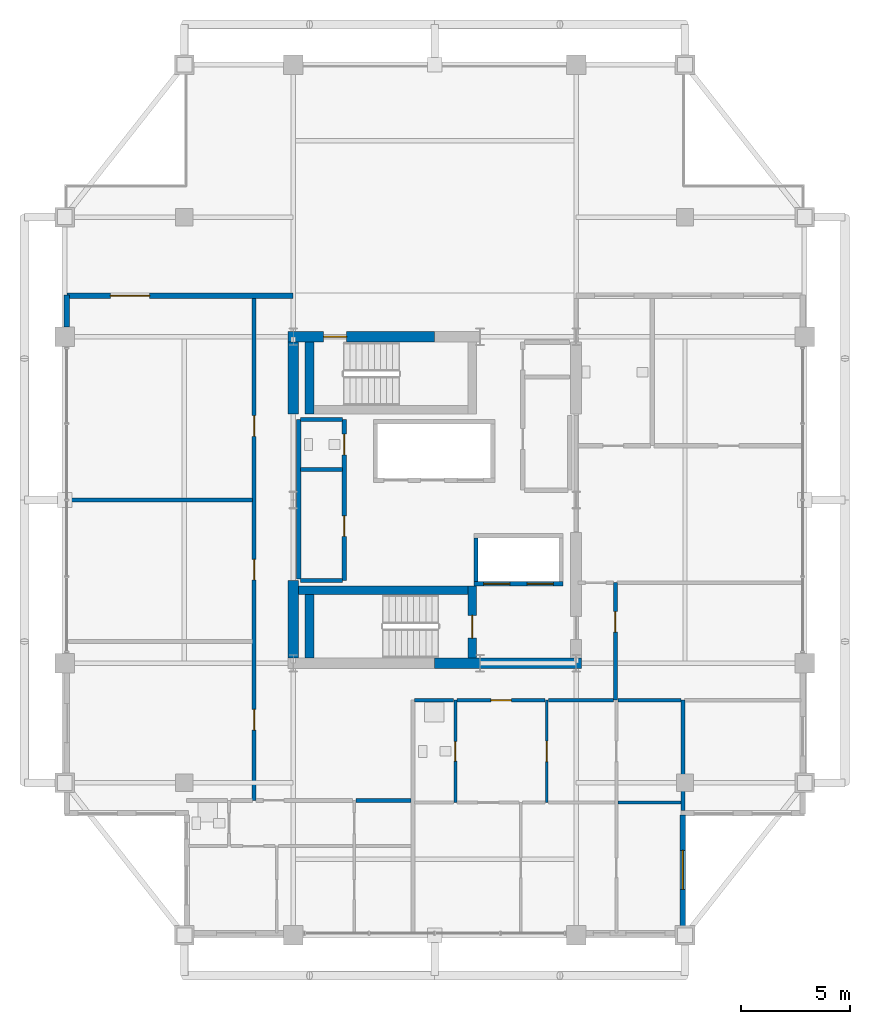
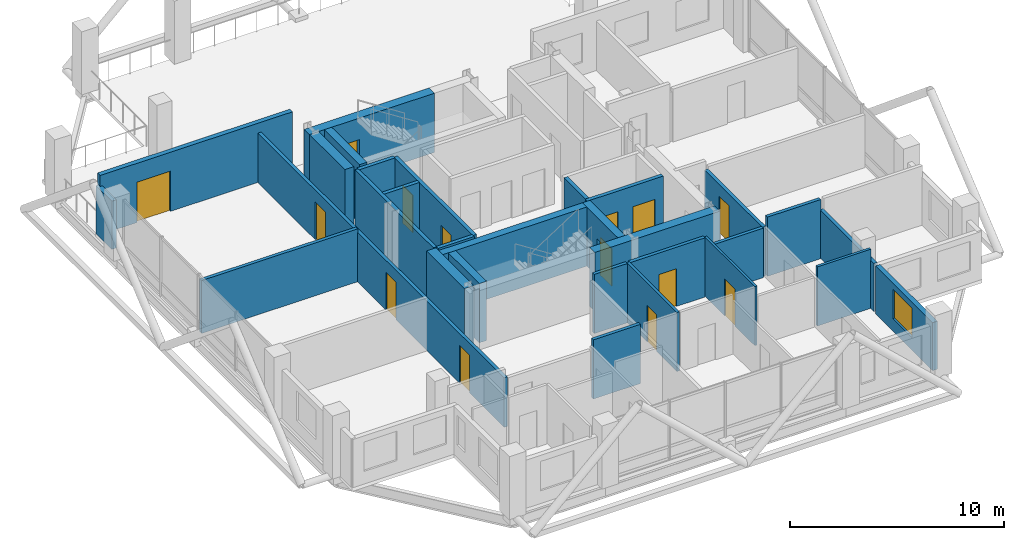
# One storey, part 16 of 21: 30 walls, 14 doors, 1 window, 15 openings.
"""IFC4 building model written with IfcOpenShell, lengths in metres."""

from ifc_helpers import new_model, si_unit, direction, frame, frame_2d, origin, place, context, subcontext, project, spatial, rectangle, extrude, material, layer, layer_set, type_object, element, fill, save


model = new_model("IFC4")

# Units and contexts
model_context = context("Model", 3, precision=1e-05, world=origin(), true_north=direction((0.0, 1.0)))
body_context = subcontext(model_context, "Body", "Model", "MODEL_VIEW")
ifc_project = project(units=[si_unit("LENGTHUNIT", "METRE"), si_unit("AREAUNIT", "SQUARE_METRE"), si_unit("VOLUMEUNIT", "CUBIC_METRE"), si_unit("PLANEANGLEUNIT", "RADIAN"), si_unit("MASSUNIT", "GRAM", prefix="KILO")], contexts=[model_context])

# Site, building, storey
site_placement = place(None, origin())
site = spatial("IfcSite", under=ifc_project, at=site_placement, CompositionType="ELEMENT")
building_placement = place(site_placement, origin())
building = spatial("IfcBuilding", under=site, at=building_placement, Name="Barlavira Tower and Art Museum", CompositionType="ELEMENT")
storey_placement = place(building_placement, frame((0.0, 0.0, 261.89990234375)))
storey = spatial("IfcBuildingStorey", under=building, at=storey_placement, Name="L68", CompositionType="ELEMENT", Elevation=261.89990234375)

# Wall, opening, door
ifc_material_1 = material(Name="Gypsum acoustic stud partition", Category="gypsum")
ifc_layer_1 = layer(ifc_material_1, 0.1201171875, Name="Gypsum acoustic stud partition")
ifc_layer_set_1 = layer_set([ifc_layer_1], Name="Gypsum acoustic stud partition")
wall_type_1 = type_object("IfcWallType", Name="Apartment Internal Acoustic Partition 120", PredefinedType="PARTITIONING", material=ifc_layer_set_1)
wall_1_placement = place(storey_placement, frame((5.14990234375, -13.89990234375, 0.0), z_axis=(0.0, 0.0, 1.0), x_axis=(0.0, 1.0, 0.0)))
wall_1 = element("IfcWall", 1, at=wall_1_placement, inside=storey, type_object=wall_type_1, Name="L68 Partition Wall 11", PredefinedType="PARTITIONING", context=body_context, shape_type="SweptSolid", body=[
    extrude(rectangle(XDim=4.699951171875, YDim=0.1201171875, at=frame_2d((2.35009765625, 0.0))), origin(), (0.0, 0.0, 1.0), 3.380126953125),
])
opening_1_placement = place(wall_1_placement, frame((1.875, 0.0, 0.0)))
opening_1 = element("IfcOpeningElement", 2, at=opening_1_placement, cuts=wall_1, Name="Opening D-02", PredefinedType="OPENING", context=body_context, shape_type="SweptSolid", body=[
    extrude(rectangle(XDim=0.949951171875, YDim=2.10009765625, at=frame_2d((0.47509765625, 1.050048828125))), frame((0.0, 0.070068359375, 0.0), z_axis=(0.0, -1.0, 0.0), x_axis=(1.0, 0.0, 0.0)), (0.0, 0.0, 1.0), 0.14013671875),
])
ifc_material_2 = material(Name="Engineered coastal hardwood", Category="wood")
door_type_1 = type_object("IfcDoorType", Name="Living and Salon Glazed-Leaf Door 950x2100", OperationType="NOTDEFINED", PredefinedType="DOOR", material=ifc_material_2)
door_1_placement = place(opening_1_placement, origin())
door_1 = element("IfcDoor", 3, at=door_1_placement, inside=storey, type_object=door_type_1, Name="Apartment WP-SE Kitchen Door", OperationType="SINGLE_SWING_RIGHT", OverallHeight=2.10009765625, OverallWidth=0.949951171875, PredefinedType="DOOR", context=body_context, shape_type="SweptSolid", body=[
    extrude(rectangle(XDim=0.949951171875, YDim=2.10009765625, at=frame_2d((0.47509765625, 1.050048828125))), frame((0.0, 0.02490234375, 0.0), z_axis=(0.0, -1.0, 0.0), x_axis=(1.0, 0.0, 0.0)), (0.0, 0.0, 1.0), 0.050048828125),
])
fill(opening_1, door_1)

# Wall
ifc_material_3 = material(Name="Concrete C60", Category="concrete")
ifc_layer_2 = layer(ifc_material_3, 0.5, Name="Concrete C60")
ifc_layer_set_2 = layer_set([ifc_layer_2], Name="Concrete C60")
wall_type_2 = type_object("IfcWallType", Name="Core Structural Shear Wall 500 Concrete C60", PredefinedType="SHEAR", material=ifc_layer_set_2)
wall_2_placement = place(storey_placement, frame((0.0, -7.5, 0.0), z_axis=(0.0, 0.0, 1.0), x_axis=(1.0, 0.0, 0.0)))
element("IfcWall", 4, at=wall_2_placement, inside=storey, type_object=wall_type_2, Name="L68 Core Shear Wall CS-SE", PredefinedType="SHEAR", context=body_context, shape_type="SweptSolid", body=[
    extrude(rectangle(XDim=6.75, YDim=0.5, at=frame_2d((3.375, 0.0))), origin(), (0.0, 0.0, 1.0), 3.380126953125),
])

# Wall, opening, door
wall_3_placement = place(storey_placement, frame((-6.75, 7.5, 0.0), z_axis=(0.0, 0.0, 1.0), x_axis=(1.0, 0.0, 0.0)))
wall_3 = element("IfcWall", 5, at=wall_3_placement, inside=storey, type_object=wall_type_2, Name="L68 Core Shear Wall CS-NW", PredefinedType="SHEAR", context=body_context, shape_type="SweptSolid", body=[
    extrude(rectangle(XDim=6.75, YDim=0.5, at=frame_2d((3.375, 0.0))), origin(), (0.0, 0.0, 1.0), 3.380126953125),
])
opening_2_placement = place(wall_3_placement, frame((1.64990234375, 0.0, 0.0)))
opening_2 = element("IfcOpeningElement", 6, at=opening_2_placement, cuts=wall_3, Name="Opening FD-90", PredefinedType="OPENING", context=body_context, shape_type="SweptSolid", body=[
    extrude(rectangle(XDim=1.050048828125, YDim=2.14990234375, at=frame_2d((0.52490234375, 1.074951171875))), frame((0.0, 0.260009765625, 0.0), z_axis=(0.0, -1.0, 0.0), x_axis=(1.0, 0.0, 0.0)), (0.0, 0.0, 1.0), 0.52001953125),
])
ifc_material_4 = material(Name="Brushed stainless steel", Category="steel")
door_type_2 = type_object("IfcDoorType", Name="Stair and Refuge Fire Door 1050x2150 FD90S", OperationType="NOTDEFINED", PredefinedType="DOOR", material=ifc_material_4)
door_2_placement = place(opening_2_placement, origin())
door_2 = element("IfcDoor", 7, at=door_2_placement, inside=storey, type_object=door_type_2, Name="L68 Stair ST-T2 Fire Door", OperationType="SINGLE_SWING_LEFT", OverallHeight=2.14990234375, OverallWidth=1.050048828125, PredefinedType="DOOR", context=body_context, shape_type="SweptSolid", body=[
    extrude(rectangle(XDim=1.050048828125, YDim=2.14990234375, at=frame_2d((0.52490234375, 1.074951171875))), frame((0.0, 0.02490234375, 0.0), z_axis=(0.0, -1.0, 0.0), x_axis=(1.0, 0.0, 0.0)), (0.0, 0.0, 1.0), 0.050048828125),
])
fill(opening_2, door_2)

# Walls
wall_4_placement = place(storey_placement, frame((-6.5, -7.25, 0.0), z_axis=(0.0, 0.0, 1.0), x_axis=(0.0, 1.0, 0.0)))
element("IfcWall", 8, at=wall_4_placement, inside=storey, type_object=wall_type_2, Name="L68 Core Shear Wall CS-W1", PredefinedType="SHEAR", context=body_context, shape_type="SweptSolid", body=[
    extrude(rectangle(XDim=3.550048828125, YDim=0.5, at=frame_2d((1.77490234375, 0.0))), origin(), (0.0, 0.0, 1.0), 3.380126953125),
])
wall_5_placement = place(storey_placement, frame((-6.5, 3.949951171875, 0.0), z_axis=(0.0, 0.0, 1.0), x_axis=(0.0, 1.0, 0.0)))
element("IfcWall", 9, at=wall_5_placement, inside=storey, type_object=wall_type_2, Name="L68 Core Shear Wall CS-W2", PredefinedType="SHEAR", context=body_context, shape_type="SweptSolid", body=[
    extrude(rectangle(XDim=3.300048828125, YDim=0.5, at=frame_2d((1.64990234375, 0.0))), origin(), (0.0, 0.0, 1.0), 3.380126953125),
])

# Wall, openings, doors
ifc_material_5 = material(Name="Autoclaved aerated concrete masonry", Category="masonry")
ifc_layer_3 = layer(ifc_material_5, 0.199951171875, Name="Autoclaved aerated concrete masonry")
ifc_layer_set_3 = layer_set([ifc_layer_3], Name="Autoclaved aerated concrete masonry")
wall_type_3 = type_object("IfcWallType", Name="Fire Compartment and Shaft Wall 200", PredefinedType="SOLIDWALL", material=ifc_layer_set_3)
wall_6_placement = place(storey_placement, frame((1.800048828125, -3.85009765625, 0.0), z_axis=(0.0, 0.0, 1.0), x_axis=(1.0, 0.0, 0.0)))
wall_6 = element("IfcWall", 10, at=wall_6_placement, inside=storey, type_object=wall_type_3, Name="L68 Firefighting Lift Front Shaft Wall", PredefinedType="SOLIDWALL", context=body_context, shape_type="SweptSolid", body=[
    extrude(rectangle(XDim=4.099853515625, YDim=0.199951171875, at=frame_2d((2.0498046875, 0.0))), origin(), (0.0, 0.0, 1.0), 3.380126953125),
])
opening_3_placement = place(wall_6_placement, frame((0.449951171875, 0.0, 0.0)))
opening_3 = element("IfcOpeningElement", 11, at=opening_3_placement, cuts=wall_6, Name="Opening LD-F", PredefinedType="OPENING", context=body_context, shape_type="SweptSolid", body=[
    extrude(rectangle(XDim=1.199951171875, YDim=2.199951171875, at=frame_2d((0.60009765625, 1.10009765625))), frame((0.0, 0.10986328125, 0.0), z_axis=(0.0, -1.0, 0.0), x_axis=(1.0, 0.0, 0.0)), (0.0, 0.0, 1.0), 0.219970703125),
])
opening_4_placement = place(wall_6_placement, frame((2.449951171875, 0.0, 0.0)))
opening_4 = element("IfcOpeningElement", 12, at=opening_4_placement, cuts=wall_6, Name="Opening LD-F", PredefinedType="OPENING", context=body_context, shape_type="SweptSolid", body=[
    extrude(rectangle(XDim=1.199951171875, YDim=2.199951171875, at=frame_2d((0.60009765625, 1.10009765625))), frame((0.0, 0.10986328125, 0.0), z_axis=(0.0, -1.0, 0.0), x_axis=(1.0, 0.0, 0.0)), (0.0, 0.0, 1.0), 0.219970703125),
])
door_type_3 = type_object("IfcDoorType", Name="Firefighting and Service Lift Sliding Door 1200x2200 FD120", OperationType="NOTDEFINED", PredefinedType="DOOR", material=ifc_material_4)
door_3_placement = place(opening_3_placement, origin())
door_3 = element("IfcDoor", 13, at=door_3_placement, inside=storey, type_object=door_type_3, Name="L68 Firefighting Lift FF1 Sliding Door", OperationType="DOUBLE_DOOR_SLIDING", OverallHeight=2.199951171875, OverallWidth=1.199951171875, PredefinedType="DOOR", context=body_context, shape_type="SweptSolid", body=[
    extrude(rectangle(XDim=1.199951171875, YDim=2.199951171875, at=frame_2d((0.60009765625, 1.10009765625))), frame((0.0, 0.02490234375, 0.0), z_axis=(0.0, -1.0, 0.0), x_axis=(1.0, 0.0, 0.0)), (0.0, 0.0, 1.0), 0.050048828125),
])
fill(opening_3, door_3)
door_4_placement = place(opening_4_placement, origin())
door_4 = element("IfcDoor", 14, at=door_4_placement, inside=storey, type_object=door_type_3, Name="L68 Firefighting Lift FF2 Sliding Door", OperationType="DOUBLE_DOOR_SLIDING", OverallHeight=2.199951171875, OverallWidth=1.199951171875, PredefinedType="DOOR", context=body_context, shape_type="SweptSolid", body=[
    extrude(rectangle(XDim=1.199951171875, YDim=2.199951171875, at=frame_2d((0.60009765625, 1.10009765625))), frame((0.0, 0.02490234375, 0.0), z_axis=(0.0, -1.0, 0.0), x_axis=(1.0, 0.0, 0.0)), (0.0, 0.0, 1.0), 0.050048828125),
])
fill(opening_4, door_4)

# Walls
wall_7_placement = place(storey_placement, frame((1.89990234375, -3.75, 0.0), z_axis=(0.0, 0.0, 1.0), x_axis=(0.0, 1.0, 0.0)))
element("IfcWall", 15, at=wall_7_placement, inside=storey, type_object=wall_type_3, Name="L68 Firefighting Lift West Shaft Wall", PredefinedType="SOLIDWALL", context=body_context, shape_type="SweptSolid", body=[
    extrude(rectangle(XDim=2.0, YDim=0.199951171875, at=frame_2d((1.0, 0.0))), origin(), (0.0, 0.0, 1.0), 3.380126953125),
])
wall_8_placement = place(storey_placement, frame((-6.25, -3.639892578125, 0.0), z_axis=(0.0, 0.0, 1.0), x_axis=(0.0, 1.0, 0.0)))
element("IfcWall", 16, at=wall_8_placement, inside=storey, type_object=wall_type_3, Name="L68 Partition Wall 4", PredefinedType="SOLIDWALL", context=body_context, shape_type="SweptSolid", body=[
    extrude(rectangle(XDim=7.33984375, YDim=0.199951171875, at=frame_2d((3.669921875, 0.0))), origin(), (0.0, 0.0, 1.0), 3.380126953125),
])

# Wall, openings, doors
wall_9_placement = place(storey_placement, frame((-4.14990234375, -3.699951171875, 0.0), z_axis=(0.0, 0.0, 1.0), x_axis=(0.0, 1.0, 0.0)))
wall_9 = element("IfcWall", 17, at=wall_9_placement, inside=storey, type_object=wall_type_3, Name="L68 Partition Wall 5", PredefinedType="SOLIDWALL", context=body_context, shape_type="SweptSolid", body=[
    extrude(rectangle(XDim=7.39990234375, YDim=0.199951171875, at=frame_2d((3.699951171875, 0.0))), origin(), (0.0, 0.0, 1.0), 3.380126953125),
])
opening_5_placement = place(wall_9_placement, frame((2.02490234375, 0.0, 0.0)))
opening_5 = element("IfcOpeningElement", 18, at=opening_5_placement, cuts=wall_9, Name="Opening FD-60", PredefinedType="OPENING", context=body_context, shape_type="SweptSolid", body=[
    extrude(rectangle(XDim=0.949951171875, YDim=2.14990234375, at=frame_2d((0.47509765625, 1.074951171875))), frame((0.0, 0.10986328125, 0.0), z_axis=(0.0, -1.0, 0.0), x_axis=(1.0, 0.0, 0.0)), (0.0, 0.0, 1.0), 0.219970703125),
])
opening_6_placement = place(wall_9_placement, frame((5.77490234375, 0.0, 0.0)))
opening_6 = element("IfcOpeningElement", 19, at=opening_6_placement, cuts=wall_9, Name="Opening FD-60", PredefinedType="OPENING", context=body_context, shape_type="SweptSolid", body=[
    extrude(rectangle(XDim=0.949951171875, YDim=2.14990234375, at=frame_2d((0.47509765625, 1.074951171875))), frame((0.0, 0.10986328125, 0.0), z_axis=(0.0, -1.0, 0.0), x_axis=(1.0, 0.0, 0.0)), (0.0, 0.0, 1.0), 0.219970703125),
])
door_type_4 = type_object("IfcDoorType", Name="Apartment Entrance and Riser Fire Door 950x2150 FD60S", OperationType="NOTDEFINED", PredefinedType="DOOR", material=ifc_material_4)
door_5_placement = place(opening_5_placement, origin())
door_5 = element("IfcDoor", 20, at=door_5_placement, inside=storey, type_object=door_type_4, Name="Reclaimed Core Resident Parcel Room Door", OperationType="SINGLE_SWING_RIGHT", OverallHeight=2.14990234375, OverallWidth=0.949951171875, PredefinedType="DOOR", context=body_context, shape_type="SweptSolid", body=[
    extrude(rectangle(XDim=0.949951171875, YDim=2.14990234375, at=frame_2d((0.47509765625, 1.074951171875))), frame((0.0, 0.02490234375, 0.0), z_axis=(0.0, -1.0, 0.0), x_axis=(1.0, 0.0, 0.0)), (0.0, 0.0, 1.0), 0.050048828125),
])
fill(opening_5, door_5)
door_6_placement = place(opening_6_placement, origin())
door_6 = element("IfcDoor", 21, at=door_6_placement, inside=storey, type_object=door_type_4, Name="Reclaimed Core Accessible WC Door", OperationType="SINGLE_SWING_LEFT", OverallHeight=2.14990234375, OverallWidth=0.949951171875, PredefinedType="DOOR", context=body_context, shape_type="SweptSolid", body=[
    extrude(rectangle(XDim=0.949951171875, YDim=2.14990234375, at=frame_2d((0.47509765625, 1.074951171875))), frame((0.0, 0.02490234375, 0.0), z_axis=(0.0, -1.0, 0.0), x_axis=(1.0, 0.0, 0.0)), (0.0, 0.0, 1.0), 0.050048828125),
])
fill(opening_6, door_6)

# Walls
for number, where, z_axis, x_axis, name in (
    (22, (-6.169921875, -3.699951171875, 0.0), (0.0, 0.0, 1.0), (1.0, 0.0, 0.0), "L68 Partition Wall 40"),
    (23, (-6.169921875, 1.39990234375, 0.0), (0.0, 0.0, 1.0), (1.0, 0.0, 0.0), "L68 Partition Wall 43"),
    (24, (-6.169921875, 3.699951171875, 0.0), (0.0, 0.0, 1.0), (1.0, 0.0, 0.0), "L68 Partition Wall 46"),
):
    element("IfcWall", number, at=place(storey_placement, frame(where, z_axis=z_axis, x_axis=x_axis)), inside=storey, type_object=wall_type_3, Name=name, PredefinedType="SOLIDWALL", context=body_context, shape_type="SweptSolid", body=[
        extrude(rectangle(XDim=1.93994140625, YDim=0.199951171875, at=frame_2d((0.969970703125, 0.0))), origin(), (0.0, 0.0, 1.0), 3.380126953125),
    ])

# Wall, openings, doors
ifc_layer_4 = layer(ifc_material_1, 0.179931640625, Name="Gypsum acoustic stud partition")
ifc_layer_set_4 = layer_set([ifc_layer_4], Name="Gypsum acoustic stud partition")
wall_type_4 = type_object("IfcWallType", Name="Inter-Tenancy Party Partition Wall 180", PredefinedType="PARTITIONING", material=ifc_layer_set_4)
wall_10_placement = place(storey_placement, frame((-8.300048828125, -13.800048828125, 0.0), z_axis=(0.0, 0.0, 1.0), x_axis=(0.0, 1.0, 0.0)))
wall_10 = element("IfcWall", 25, at=wall_10_placement, inside=storey, type_object=wall_type_4, Name="L68 Partition Wall 2", PredefinedType="PARTITIONING", context=body_context, shape_type="SweptSolid", body=[
    extrude(rectangle(XDim=23.050048828125, YDim=0.179931640625, at=frame_2d((11.52490234375, 0.0))), origin(), (0.0, 0.0, 1.0), 2.826171875),
])
opening_7_placement = place(wall_10_placement, frame((3.22509765625, 0.0, 0.0)))
opening_7 = element("IfcOpeningElement", 26, at=opening_7_placement, cuts=wall_10, Name="Opening FD-60", PredefinedType="OPENING", context=body_context, shape_type="SweptSolid", body=[
    extrude(rectangle(XDim=0.949951171875, YDim=2.14990234375, at=frame_2d((0.47509765625, 1.074951171875))), frame((0.0, 0.10009765625, 0.0), z_axis=(0.0, -1.0, 0.0), x_axis=(1.0, 0.0, 0.0)), (0.0, 0.0, 1.0), 0.199951171875),
])
opening_8_placement = place(wall_10_placement, frame((10.125, 0.0, 0.0)))
opening_8 = element("IfcOpeningElement", 27, at=opening_8_placement, cuts=wall_10, Name="Opening FD-60", PredefinedType="OPENING", context=body_context, shape_type="SweptSolid", body=[
    extrude(rectangle(XDim=0.949951171875, YDim=2.14990234375, at=frame_2d((0.47509765625, 1.074951171875))), frame((0.0, 0.10009765625, 0.0), z_axis=(0.0, -1.0, 0.0), x_axis=(1.0, 0.0, 0.0)), (0.0, 0.0, 1.0), 0.199951171875),
])
opening_9_placement = place(wall_10_placement, frame((16.72509765625, 0.0, 0.0)))
opening_9 = element("IfcOpeningElement", 28, at=opening_9_placement, cuts=wall_10, Name="Opening FD-60", PredefinedType="OPENING", context=body_context, shape_type="SweptSolid", body=[
    extrude(rectangle(XDim=0.949951171875, YDim=2.14990234375, at=frame_2d((0.47509765625, 1.074951171875))), frame((0.0, 0.10009765625, 0.0), z_axis=(0.0, -1.0, 0.0), x_axis=(1.0, 0.0, 0.0)), (0.0, 0.0, 1.0), 0.199951171875),
])
door_7_placement = place(opening_7_placement, origin())
door_7 = element("IfcDoor", 29, at=door_7_placement, inside=storey, type_object=door_type_4, Name="Wind-Portal Sky Observatory Lounge Door", OperationType="SINGLE_SWING_LEFT", OverallHeight=2.14990234375, OverallWidth=0.949951171875, PredefinedType="DOOR", context=body_context, shape_type="SweptSolid", body=[
    extrude(rectangle(XDim=0.949951171875, YDim=2.14990234375, at=frame_2d((0.47509765625, 1.074951171875))), frame((0.0, 0.02490234375, 0.0), z_axis=(0.0, -1.0, 0.0), x_axis=(1.0, 0.0, 0.0)), (0.0, 0.0, 1.0), 0.050048828125),
])
fill(opening_7, door_7)
door_8_placement = place(opening_8_placement, origin())
door_8 = element("IfcDoor", 30, at=door_8_placement, inside=storey, type_object=door_type_4, Name="Wind-Portal Coastal Sculpture Salon Door", OperationType="SINGLE_SWING_RIGHT", OverallHeight=2.14990234375, OverallWidth=0.949951171875, PredefinedType="DOOR", context=body_context, shape_type="SweptSolid", body=[
    extrude(rectangle(XDim=0.949951171875, YDim=2.14990234375, at=frame_2d((0.47509765625, 1.074951171875))), frame((0.0, 0.02490234375, 0.0), z_axis=(0.0, -1.0, 0.0), x_axis=(1.0, 0.0, 0.0)), (0.0, 0.0, 1.0), 0.050048828125),
])
fill(opening_8, door_8)
door_9_placement = place(opening_9_placement, origin())
door_9 = element("IfcDoor", 31, at=door_9_placement, inside=storey, type_object=door_type_4, Name="Wind-Portal Coastal Reading Room Door", OperationType="SINGLE_SWING_LEFT", OverallHeight=2.14990234375, OverallWidth=0.949951171875, PredefinedType="DOOR", context=body_context, shape_type="SweptSolid", body=[
    extrude(rectangle(XDim=0.949951171875, YDim=2.14990234375, at=frame_2d((0.47509765625, 1.074951171875))), frame((0.0, 0.02490234375, 0.0), z_axis=(0.0, -1.0, 0.0), x_axis=(1.0, 0.0, 0.0)), (0.0, 0.0, 1.0), 0.050048828125),
])
fill(opening_9, door_9)

# Wall, opening, door
wall_11_placement = place(storey_placement, frame((8.300048828125, -9.199951171875, 0.0), z_axis=(0.0, 0.0, 1.0), x_axis=(0.0, 1.0, 0.0)))
wall_11 = element("IfcWall", 32, at=wall_11_placement, inside=storey, type_object=wall_type_4, Name="L68 Partition Wall 15", PredefinedType="PARTITIONING", context=body_context, shape_type="SweptSolid", body=[
    extrude(rectangle(XDim=5.39990234375, YDim=0.179931640625, at=frame_2d((2.699951171875, 0.0))), origin(), (0.0, 0.0, 1.0), 2.826171875),
])
opening_10_placement = place(wall_11_placement, frame((3.125, 0.0, 0.0)))
opening_10 = element("IfcOpeningElement", 33, at=opening_10_placement, cuts=wall_11, Name="Opening FD-60", PredefinedType="OPENING", context=body_context, shape_type="SweptSolid", body=[
    extrude(rectangle(XDim=0.949951171875, YDim=2.14990234375, at=frame_2d((0.47509765625, 1.074951171875))), frame((0.0, 0.10009765625, 0.0), z_axis=(0.0, -1.0, 0.0), x_axis=(1.0, 0.0, 0.0)), (0.0, 0.0, 1.0), 0.199951171875),
])
door_10_placement = place(opening_10_placement, origin())
door_10 = element("IfcDoor", 34, at=door_10_placement, inside=storey, type_object=door_type_4, Name="Wind-Portal Private Dining Room Door", OperationType="SINGLE_SWING_RIGHT", OverallHeight=2.14990234375, OverallWidth=0.949951171875, PredefinedType="DOOR", context=body_context, shape_type="SweptSolid", body=[
    extrude(rectangle(XDim=0.949951171875, YDim=2.14990234375, at=frame_2d((0.47509765625, 1.074951171875))), frame((0.0, 0.02490234375, 0.0), z_axis=(0.0, -1.0, 0.0), x_axis=(1.0, 0.0, 0.0)), (0.0, 0.0, 1.0), 0.050048828125),
])
fill(opening_10, door_10)

# Walls
wall_12_placement = place(storey_placement, frame((11.39990234375, -14.27001953125, 0.0), z_axis=(0.0, 0.0, 1.0), x_axis=(0.0, 1.0, 0.0)))
element("IfcWall", 35, at=wall_12_placement, inside=storey, type_object=wall_type_4, Name="L68 Partition Wall 18", PredefinedType="PARTITIONING", context=body_context, shape_type="SweptSolid", body=[
    extrude(rectangle(XDim=5.070068359375, YDim=0.179931640625, at=frame_2d((2.53515625, 0.0))), origin(), (0.0, 0.0, 1.0), 2.748046875),
])
wall_13_placement = place(storey_placement, frame((-3.6201171875, -13.800048828125, 0.0), z_axis=(0.0, 0.0, 1.0), x_axis=(1.0, 0.0, 0.0)))
element("IfcWall", 36, at=wall_13_placement, inside=storey, type_object=wall_type_4, Name="L68 Partition Wall 31", PredefinedType="PARTITIONING", context=body_context, shape_type="SweptSolid", body=[
    extrude(rectangle(XDim=2.5400390625, YDim=0.179931640625, at=frame_2d((1.27001953125, 0.0))), origin(), (0.0, 0.0, 1.0), 3.380126953125),
])
wall_14_placement = place(storey_placement, frame((-0.919921875, -9.199951171875, 0.0), z_axis=(0.0, 0.0, 1.0), x_axis=(1.0, 0.0, 0.0)))
element("IfcWall", 37, at=wall_14_placement, inside=storey, type_object=wall_type_4, Name="L68 Partition Wall 32", PredefinedType="PARTITIONING", context=body_context, shape_type="SweptSolid", body=[
    extrude(rectangle(XDim=1.7900390625, YDim=0.179931640625, at=frame_2d((0.89501953125, 0.0))), origin(), (0.0, 0.0, 1.0), 3.380126953125),
])

# Wall, opening, door
wall_15_placement = place(storey_placement, frame((1.030029296875, -9.199951171875, 0.0), z_axis=(0.0, 0.0, 1.0), x_axis=(1.0, 0.0, 0.0)))
wall_15 = element("IfcWall", 38, at=wall_15_placement, inside=storey, type_object=wall_type_4, Name="L68 Partition Wall 33", PredefinedType="PARTITIONING", context=body_context, shape_type="SweptSolid", body=[
    extrude(rectangle(XDim=4.0400390625, YDim=0.179931640625, at=frame_2d((2.02001953125, 0.0))), origin(), (0.0, 0.0, 1.0), 3.380126953125),
])
opening_11_placement = place(wall_15_placement, frame((1.544921875, 0.0, 0.0)))
opening_11 = element("IfcOpeningElement", 39, at=opening_11_placement, cuts=wall_15, Name="Opening FD-60", PredefinedType="OPENING", context=body_context, shape_type="SweptSolid", body=[
    extrude(rectangle(XDim=0.949951171875, YDim=2.14990234375, at=frame_2d((0.47509765625, 1.074951171875))), frame((0.0, 0.10009765625, 0.0), z_axis=(0.0, -1.0, 0.0), x_axis=(1.0, 0.0, 0.0)), (0.0, 0.0, 1.0), 0.199951171875),
])
door_11_placement = place(opening_11_placement, origin())
door_11 = element("IfcDoor", 40, at=door_11_placement, inside=storey, type_object=door_type_4, Name="Apartment Entrance Hall WP-SE Door", OperationType="SINGLE_SWING_LEFT", OverallHeight=2.14990234375, OverallWidth=0.949951171875, PredefinedType="DOOR", context=body_context, shape_type="SweptSolid", body=[
    extrude(rectangle(XDim=0.949951171875, YDim=2.14990234375, at=frame_2d((0.47509765625, 1.074951171875))), frame((0.0, 0.02490234375, 0.0), z_axis=(0.0, -1.0, 0.0), x_axis=(1.0, 0.0, 0.0)), (0.0, 0.0, 1.0), 0.050048828125),
])
fill(opening_11, door_11)

# Walls
wall_16_placement = place(storey_placement, frame((5.22998046875, -9.199951171875, 0.0), z_axis=(0.0, 0.0, 1.0), x_axis=(1.0, 0.0, 0.0)))
element("IfcWall", 41, at=wall_16_placement, inside=storey, type_object=wall_type_4, Name="L68 Partition Wall 34", PredefinedType="PARTITIONING", context=body_context, shape_type="SweptSolid", body=[
    extrude(rectangle(XDim=2.989990234375, YDim=0.179931640625, at=frame_2d((1.4951171875, 0.0))), origin(), (0.0, 0.0, 1.0), 2.826171875),
])
wall_17_placement = place(storey_placement, frame((8.429931640625, -9.199951171875, 0.0), z_axis=(0.0, 0.0, 1.0), x_axis=(1.0, 0.0, 0.0)))
element("IfcWall", 42, at=wall_17_placement, inside=storey, type_object=wall_type_4, Name="L68 Partition Wall 35", PredefinedType="PARTITIONING", context=body_context, shape_type="SweptSolid", body=[
    extrude(rectangle(XDim=2.89013671875, YDim=0.179931640625, at=frame_2d((1.445068359375, 0.0))), origin(), (0.0, 0.0, 1.0), 3.380126953125),
])
wall_18_placement = place(storey_placement, frame((-16.820068359375, 0.0, 0.0), z_axis=(0.0, 0.0, 1.0), x_axis=(1.0, 0.0, 0.0)))
element("IfcWall", 43, at=wall_18_placement, inside=storey, type_object=wall_type_4, Name="L68 Partition Wall 41", PredefinedType="PARTITIONING", context=body_context, shape_type="SweptSolid", body=[
    extrude(rectangle(XDim=8.440185546875, YDim=0.179931640625, at=frame_2d((4.22021484375, 0.0))), origin(), (0.0, 0.0, 1.0), 3.01806640625),
])

# Wall, opening, door
ifc_layer_5 = layer(ifc_material_1, 0.139892578125, Name="Gypsum acoustic stud partition")
ifc_layer_set_5 = layer_set([ifc_layer_5], Name="Gypsum acoustic stud partition")
wall_type_5 = type_object("IfcWallType", Name="Moisture-Resistant Bathroom Partition 140", PredefinedType="PARTITIONING", material=ifc_layer_set_5)
wall_19_placement = place(storey_placement, frame((0.949951171875, -13.89990234375, 0.0), z_axis=(0.0, 0.0, 1.0), x_axis=(0.0, 1.0, 0.0)))
wall_19 = element("IfcWall", 44, at=wall_19_placement, inside=storey, type_object=wall_type_5, Name="L68 Partition Wall 8", PredefinedType="PARTITIONING", context=body_context, shape_type="SweptSolid", body=[
    extrude(rectangle(XDim=4.699951171875, YDim=0.139892578125, at=frame_2d((2.35009765625, 0.0))), origin(), (0.0, 0.0, 1.0), 3.380126953125),
])
opening_12_placement = place(wall_19_placement, frame((1.89990234375, 0.0, 0.0)))
opening_12 = element("IfcOpeningElement", 45, at=opening_12_placement, cuts=wall_19, Name="Opening D-WC", PredefinedType="OPENING", context=body_context, shape_type="SweptSolid", body=[
    extrude(rectangle(XDim=0.89990234375, YDim=2.10009765625, at=frame_2d((0.449951171875, 1.050048828125))), frame((0.0, 0.080078125, 0.0), z_axis=(0.0, -1.0, 0.0), x_axis=(1.0, 0.0, 0.0)), (0.0, 0.0, 1.0), 0.159912109375),
])
door_type_5 = type_object("IfcDoorType", Name="Accessible Bathroom Flush Door 900x2100", OperationType="NOTDEFINED", PredefinedType="DOOR", material=ifc_material_2)
door_12_placement = place(opening_12_placement, origin())
door_12 = element("IfcDoor", 46, at=door_12_placement, inside=storey, type_object=door_type_5, Name="Apartment WP-SE Hall Bathroom Door", OperationType="SINGLE_SWING_RIGHT", OverallHeight=2.10009765625, OverallWidth=0.89990234375, PredefinedType="DOOR", context=body_context, shape_type="SweptSolid", body=[
    extrude(rectangle(XDim=0.89990234375, YDim=2.10009765625, at=frame_2d((0.449951171875, 1.050048828125))), frame((0.0, 0.02490234375, 0.0), z_axis=(0.0, -1.0, 0.0), x_axis=(1.0, 0.0, 0.0)), (0.0, 0.0, 1.0), 0.050048828125),
])
fill(opening_12, door_12)

# Walls
wall_20_placement = place(storey_placement, frame((8.429931640625, -13.89990234375, 0.0), z_axis=(0.0, 0.0, 1.0), x_axis=(1.0, 0.0, 0.0)))
element("IfcWall", 47, at=wall_20_placement, inside=storey, type_object=wall_type_5, Name="L68 Partition Wall 27", PredefinedType="PARTITIONING", context=body_context, shape_type="SweptSolid", body=[
    extrude(rectangle(XDim=2.89013671875, YDim=0.139892578125, at=frame_2d((1.445068359375, 0.0))), origin(), (0.0, 0.0, 1.0), 3.380126953125),
])
ifc_material_6 = material(Name="Precast concrete C40", Category="concrete")
ifc_layer_6 = layer(ifc_material_6, 0.25, Name="Precast concrete C40")
ifc_layer_set_6 = layer_set([ifc_layer_6], Name="Precast concrete C40")
wall_type_6 = type_object("IfcWallType", Name="Notched Corner Spandrel Wall 250 Precast Concrete C40", PredefinedType="SOLIDWALL", material=ifc_layer_set_6)
wall_21_placement = place(storey_placement, frame((-16.89990234375, 9.425048828125, 0.0), z_axis=(0.0, 0.0, 1.0), x_axis=(0.0, -1.0, 0.0)))
element("IfcWall", 48, at=wall_21_placement, inside=storey, type_object=wall_type_6, Name="L68 Coastal Facade Pier Wall CW4-L68-W-1", PredefinedType="SOLIDWALL", context=body_context, shape_type="SweptSolid", body=[
    extrude(rectangle(XDim=1.47998046875, YDim=0.25, at=frame_2d((0.739990234375, 0.0))), origin(), (0.0, 0.0, 1.0), 2.748046875),
])

# Wall, opening, door
wall_22_placement = place(storey_placement, frame((-16.89990234375, 9.3798828125, 0.0), z_axis=(0.0, 0.0, 1.0), x_axis=(1.0, 0.0, 0.0)))
wall_22 = element("IfcWall", 49, at=wall_22_placement, inside=storey, type_object=wall_type_6, Name="L68 Wind Portal West Backdrop Wall", PredefinedType="SOLIDWALL", context=body_context, shape_type="SweptSolid", body=[
    extrude(rectangle(XDim=10.39990234375, YDim=0.25, at=frame_2d((5.199951171875, 0.0))), origin(), (0.0, 0.0, 1.0), 3.380126953125),
])
opening_13_placement = place(wall_22_placement, frame((2.0, 0.0, 0.0)))
opening_13 = element("IfcOpeningElement", 50, at=opening_13_placement, cuts=wall_22, Name="Opening ED-03", PredefinedType="OPENING", context=body_context, shape_type="SweptSolid", body=[
    extrude(rectangle(XDim=1.800048828125, YDim=2.300048828125, at=frame_2d((0.89990234375, 1.14990234375))), frame((0.0, 0.135009765625, 0.0), z_axis=(0.0, -1.0, 0.0), x_axis=(1.0, 0.0, 0.0)), (0.0, 0.0, 1.0), 0.27001953125),
])
ifc_material_7 = material(Name="Pale anodised aluminium", Category="aluminium")
door_type_6 = type_object("IfcDoorType", Name="Terrace and Observation Deck Glazed Door 1800x2300", OperationType="NOTDEFINED", PredefinedType="DOOR", material=ifc_material_7)
door_13_placement = place(opening_13_placement, origin())
door_13 = element("IfcDoor", 51, at=door_13_placement, inside=storey, type_object=door_type_6, Name="L68 Open Wind Portal Deck Access Door", OperationType="DOUBLE_DOOR_SINGLE_SWING", OverallHeight=2.300048828125, OverallWidth=1.800048828125, PredefinedType="DOOR", context=body_context, shape_type="SweptSolid", body=[
    extrude(rectangle(XDim=1.800048828125, YDim=2.300048828125, at=frame_2d((0.89990234375, 1.14990234375))), frame((0.0, 0.02490234375, 0.0), z_axis=(0.0, -1.0, 0.0), x_axis=(1.0, 0.0, 0.0)), (0.0, 0.0, 1.0), 0.050048828125),
])
fill(opening_13, door_13)

# Wall, opening, window
wall_23_placement = place(storey_placement, frame((11.39990234375, -19.820068359375, 0.0), z_axis=(0.0, 0.0, 1.0), x_axis=(0.0, 1.0, 0.0)))
wall_23 = element("IfcWall", 52, at=wall_23_placement, inside=storey, type_object=wall_type_6, Name="L68 Notch Corner Wall SE1", PredefinedType="SOLIDWALL", context=body_context, shape_type="SweptSolid", body=[
    extrude(rectangle(XDim=5.340087890625, YDim=0.25, at=frame_2d((2.669921875, 0.0))), origin(), (0.0, 0.0, 1.0), 2.748046875),
])
opening_14_placement = place(wall_23_placement, frame((1.925048828125, 0.0, 0.719970703125)))
opening_14 = element("IfcOpeningElement", 53, at=opening_14_placement, cuts=wall_23, Name="Opening WN-01", PredefinedType="OPENING", context=body_context, shape_type="SweptSolid", body=[
    extrude(rectangle(XDim=1.800048828125, YDim=1.679931640625, at=frame_2d((0.89990234375, 0.83984375))), frame((0.0, 0.135009765625, 0.0), z_axis=(0.0, -1.0, 0.0), x_axis=(1.0, 0.0, 0.0)), (0.0, 0.0, 1.0), 0.27001953125),
])
ifc_material_8 = material(Name="Low-iron coastal laminated glass", Category="glass")
window_type = type_object("IfcWindowType", Name="Recessed Notch Corner Punch Window 1800x1680", PartitioningType="SINGLE_PANEL", PredefinedType="WINDOW", material=ifc_material_8)
window_placement = place(opening_14_placement, origin())
window = element("IfcWindow", 54, at=window_placement, inside=storey, type_object=window_type, Name="L68 Punched Facade Window EW-NTC-L68-SE1-1", OverallHeight=1.679931640625, OverallWidth=1.800048828125, PartitioningType="SINGLE_PANEL", PredefinedType="WINDOW", context=body_context, shape_type="SweptSolid", body=[
    extrude(rectangle(XDim=1.800048828125, YDim=1.679931640625, at=frame_2d((0.89990234375, 0.83984375))), frame((0.0, 0.030029296875, 0.0), z_axis=(0.0, -1.0, 0.0), x_axis=(1.0, 0.0, 0.0)), (0.0, 0.0, 1.0), 0.06005859375),
])
fill(opening_14, window)

# Walls
ifc_material_9 = material(Name="Concrete C55", Category="concrete")
ifc_layer_7 = layer(ifc_material_9, 0.39990234375, Name="Concrete C55")
ifc_layer_set_7 = layer_set([ifc_layer_7], Name="Concrete C55")
wall_type_7 = type_object("IfcWallType", Name="Upper Core Shear Wall 400 Concrete C55", PredefinedType="SHEAR", material=ifc_layer_set_7)
wall_24_placement = place(storey_placement, frame((-5.75, -7.25, 0.0), z_axis=(0.0, 0.0, 1.0), x_axis=(0.0, 1.0, 0.0)))
element("IfcWall", 55, at=wall_24_placement, inside=storey, type_object=wall_type_7, Name="L68 ST-T1 West Half-Landing Wall", PredefinedType="SHEAR", context=body_context, shape_type="SweptSolid", body=[
    extrude(rectangle(XDim=2.89990234375, YDim=0.39990234375, at=frame_2d((1.449951171875, 0.0))), origin(), (0.0, 0.0, 1.0), 3.380126953125),
])
wall_25_placement = place(storey_placement, frame((-6.25, -4.14990234375, 0.0), z_axis=(0.0, 0.0, 1.0), x_axis=(1.0, 0.0, 0.0)))
element("IfcWall", 56, at=wall_25_placement, inside=storey, type_object=wall_type_7, Name="L68 ST-T1 North Shaft Wall", PredefinedType="SHEAR", context=body_context, shape_type="SweptSolid", body=[
    extrude(rectangle(XDim=7.780029296875, YDim=0.39990234375, at=frame_2d((3.89013671875, 0.0))), origin(), (0.0, 0.0, 1.0), 3.380126953125),
])

# Wall, opening, door
wall_26_placement = place(storey_placement, frame((1.72998046875, -7.25, 0.0), z_axis=(0.0, 0.0, 1.0), x_axis=(0.0, 1.0, 0.0)))
wall_26 = element("IfcWall", 57, at=wall_26_placement, inside=storey, type_object=wall_type_7, Name="L68 ST-T1 East Landing Wall", PredefinedType="SHEAR", context=body_context, shape_type="SweptSolid", body=[
    extrude(rectangle(XDim=3.300048828125, YDim=0.39990234375, at=frame_2d((1.64990234375, 0.0))), origin(), (0.0, 0.0, 1.0), 3.380126953125),
])
opening_15_placement = place(wall_26_placement, frame((0.89990234375, 0.0, 0.0)))
opening_15 = element("IfcOpeningElement", 58, at=opening_15_placement, cuts=wall_26, Name="Opening FD-90", PredefinedType="OPENING", context=body_context, shape_type="SweptSolid", body=[
    extrude(rectangle(XDim=1.050048828125, YDim=2.14990234375, at=frame_2d((0.52490234375, 1.074951171875))), frame((0.0, 0.2099609375, 0.0), z_axis=(0.0, -1.0, 0.0), x_axis=(1.0, 0.0, 0.0)), (0.0, 0.0, 1.0), 0.419921875),
])
door_14_placement = place(opening_15_placement, origin())
door_14 = element("IfcDoor", 59, at=door_14_placement, inside=storey, type_object=door_type_2, Name="L68 Stair ST-T1 Fire Door", OperationType="SINGLE_SWING_RIGHT", OverallHeight=2.14990234375, OverallWidth=1.050048828125, PredefinedType="DOOR", context=body_context, shape_type="SweptSolid", body=[
    extrude(rectangle(XDim=1.050048828125, YDim=2.14990234375, at=frame_2d((0.52490234375, 1.074951171875))), frame((0.0, 0.02490234375, 0.0), z_axis=(0.0, -1.0, 0.0), x_axis=(1.0, 0.0, 0.0)), (0.0, 0.0, 1.0), 0.050048828125),
])
fill(opening_15, door_14)

# Wall
wall_27_placement = place(storey_placement, frame((-5.75, 3.949951171875, 0.0), z_axis=(0.0, 0.0, 1.0), x_axis=(0.0, 1.0, 0.0)))
element("IfcWall", 60, at=wall_27_placement, inside=storey, type_object=wall_type_7, Name="L68 ST-T2 West Shaft Wall", PredefinedType="SHEAR", context=body_context, shape_type="SweptSolid", body=[
    extrude(rectangle(XDim=3.300048828125, YDim=0.39990234375, at=frame_2d((1.64990234375, 0.0))), origin(), (0.0, 0.0, 1.0), 3.380126953125),
])

save(model, "model.ifc")
